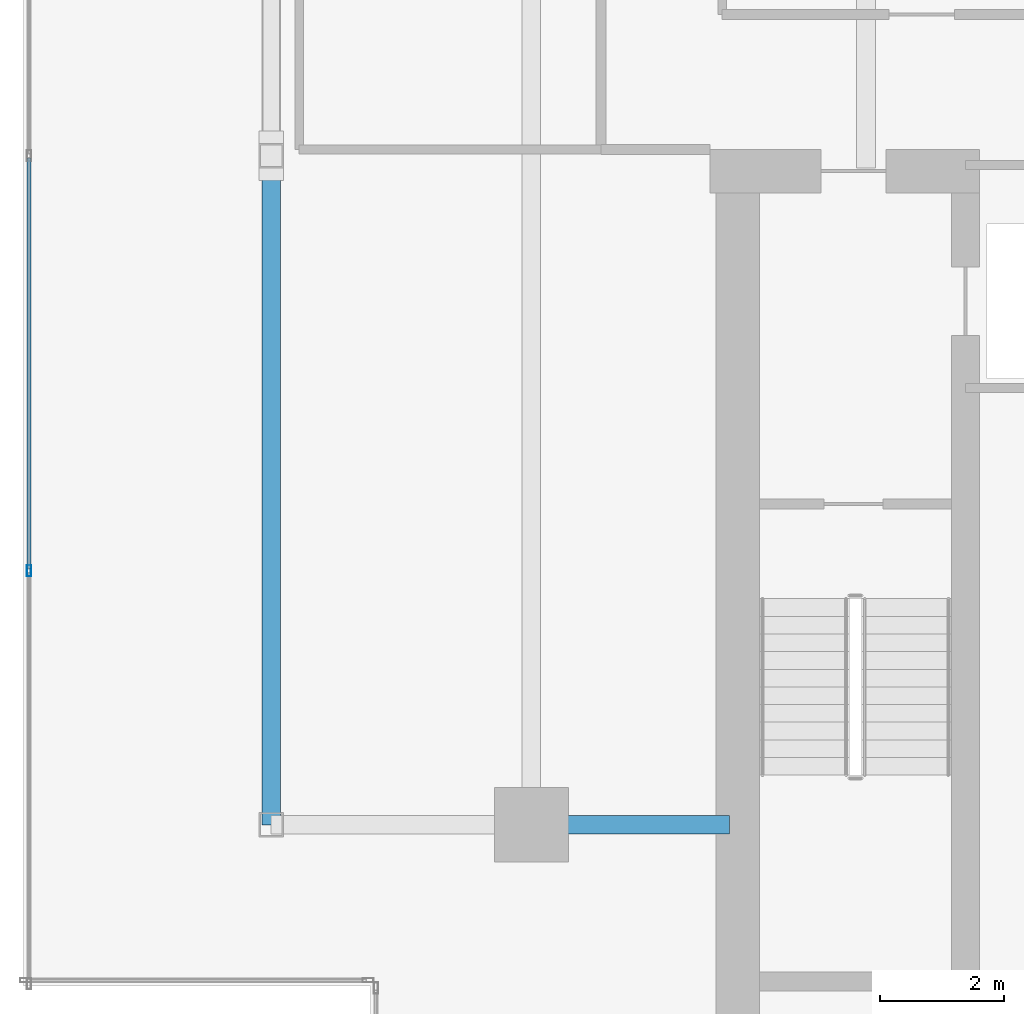
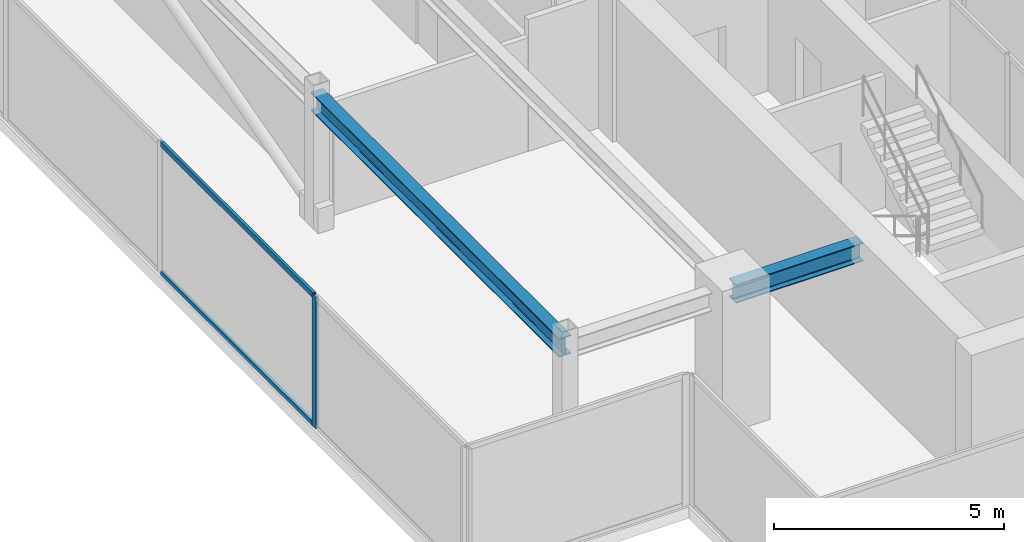
# One storey, part 4 of 25: 3 members, 2 beams, 1 element without a shape of its own.
"""IFC4 building model written with IfcOpenShell, lengths in metres."""

from ifc_helpers import new_model, si_unit, direction, frame, origin, origin_2d, place, context, subcontext, project, spatial, hollow_rectangle, i_section, extrude, source, transform, mapped, material, material_profile, profile_set, type_object, type_shapes, element, aggregate, save


model = new_model("IFC4")

# Units and contexts
model_context = context("Model", 3, precision=1e-05, world=origin(), true_north=direction((0.0, 1.0)))
body_context = subcontext(model_context, "Body", "Model", "MODEL_VIEW")
ifc_project = project(units=[si_unit("LENGTHUNIT", "METRE"), si_unit("AREAUNIT", "SQUARE_METRE"), si_unit("VOLUMEUNIT", "CUBIC_METRE"), si_unit("PLANEANGLEUNIT", "RADIAN"), si_unit("MASSUNIT", "GRAM", prefix="KILO")], contexts=[model_context])

# Site, building, storey
site_placement = place(None, origin())
site = spatial("IfcSite", under=ifc_project, at=site_placement, CompositionType="ELEMENT")
building_placement = place(site_placement, origin())
building = spatial("IfcBuilding", under=site, at=building_placement, Name="Krantzveldt Concourse Tower", CompositionType="ELEMENT")
storey_placement = place(building_placement, frame((0.0, 0.0, 370.85009765625)))
storey = spatial("IfcBuildingStorey", under=building, at=storey_placement, Name="L91", CompositionType="ELEMENT", Elevation=370.85009765625)

# Beams
ifc_material_1 = material(Name="Steel S355JR", Category="steel")
ifc_material_profile_1 = material_profile(ifc_material_1, i_section(OverallWidth=0.300048828125, OverallDepth=0.489990234375, WebThickness=0.011962890625, FlangeThickness=0.02294921875, FilletRadius=0.027099609375, at=origin_2d()), Name="Steel S355JR", Category="steel")
ifc_profile_set_1 = profile_set([ifc_material_profile_1], Name="Steel S355JR - HEA 500")
beam_type = type_object("IfcBeamType", Name="BM-B-HEA500", PredefinedType="BEAM", material=ifc_profile_set_1)
shared_shape_1 = source(origin(), body_context, "Body", "SweptSolid", [
    extrude(i_section(OverallWidth=0.300048828125, OverallDepth=0.489990234375, WebThickness=0.011962890625, FlangeThickness=0.02294921875, FilletRadius=0.027099609375, at=origin_2d()), origin(), (0.0, 0.0, 1.0), 10.800048828125),
])
beam_1_placement = place(storey_placement, frame((21.0, 15.89990234375, 3.2548828125), z_axis=(0.0, 1.0, 0.0), x_axis=(-1.0, 0.0, 0.0)))
element("IfcBeam", 1, at=beam_1_placement, inside=storey, type_object=beam_type, Name="L91 Crown Girder WEST-1", PredefinedType="BEAM", context=body_context, shape_type="MappedRepresentation", body=[
    mapped(shared_shape_1, transform((0.0, 0.0, 0.0), x_axis=(1.0, 0.0, 0.0), y_axis=(0.0, 1.0, 0.0), z_axis=(0.0, 0.0, 1.0), scale=1.0)),
])
shared_shape_2 = source(origin(), body_context, "Body", "SweptSolid", [
    extrude(i_section(OverallWidth=0.300048828125, OverallDepth=0.489990234375, WebThickness=0.011962890625, FlangeThickness=0.02294921875, FilletRadius=0.027099609375, at=origin_2d()), origin(), (0.0, 0.0, 1.0), 3.199951171875),
])
type_shapes(beam_type, [shared_shape_1, shared_shape_2])
beam_2_placement = place(storey_placement, frame((25.199951171875, 15.89990234375, 3.2548828125), z_axis=(1.0, 0.0, 0.0), x_axis=(0.0, 1.0, 0.0)))
element("IfcBeam", 2, at=beam_2_placement, inside=storey, type_object=beam_type, Name="L91 Crown Girder WEST-7", PredefinedType="BEAM", context=body_context, shape_type="MappedRepresentation", body=[
    mapped(shared_shape_2, transform((0.0, 0.0, 0.0), x_axis=(1.0, 0.0, 0.0), y_axis=(0.0, 1.0, 0.0), z_axis=(0.0, 0.0, 1.0), scale=1.0)),
])

# Curtain wall, members
ifc_material_2 = material(Name="Anodised aluminium 6063-T6", Category="aluminium")
curtain_wall_type = type_object("IfcCurtainWallType", Name="CW7", PredefinedType="USERDEFINED", material=ifc_material_2)
curtain_wall_placement = place(storey_placement, origin())
curtain_wall = element("IfcCurtainWall", 3, at=curtain_wall_placement, inside=storey, type_object=curtain_wall_type, Name="CW-L91-WEST-05", ObjectType="UNITISED CURTAIN WALL", PredefinedType="USERDEFINED")
ifc_material_profile_2 = material_profile(ifc_material_2, hollow_rectangle(XDim=0.070068359375, YDim=0.139892578125, WallThickness=0.0048828125, at=origin_2d()), Name="Anodised aluminium 6063-T6", Category="aluminium")
ifc_profile_set_2 = profile_set([ifc_material_profile_2], Name="Anodised aluminium 6063-T6 - ALU-TRAN 140x70x5")
member_type_1 = type_object("IfcMemberType", Name="CW-TRN-150", PredefinedType="USERDEFINED", material=ifc_profile_set_2)
shared_shape_3 = source(origin(), body_context, "Body", "SweptSolid", [
    extrude(hollow_rectangle(XDim=0.070068359375, YDim=0.139892578125, WallThickness=0.0048828125, at=origin_2d()), origin(), (0.0, 0.0, 1.0), 6.630126953125),
])
type_shapes(member_type_1, [shared_shape_3])
member_1_placement = place(storey_placement, frame((17.090087890625, 26.6650390625, 0.034912109375), z_axis=(0.0, -1.0, 0.0), x_axis=(1.0, 0.0, 0.0)))
member_1 = element("IfcMember", 4, at=member_1_placement, type_object=member_type_1, Name="CW-CRN transom 3.1", ObjectType="TRANSOM", PredefinedType="USERDEFINED", context=body_context, shape_type="MappedRepresentation", body=[
    mapped(shared_shape_3, transform((0.0, 0.0, 0.0), x_axis=(1.0, 0.0, 0.0), y_axis=(0.0, 1.0, 0.0), z_axis=(0.0, 0.0, 1.0), scale=1.0)),
])
member_2_placement = place(storey_placement, frame((17.090087890625, 26.6650390625, 3.46484375), z_axis=(0.0, -1.0, 0.0), x_axis=(1.0, 0.0, 0.0)))
member_2 = element("IfcMember", 5, at=member_2_placement, type_object=member_type_1, Name="CW-CRN transom 3.2", ObjectType="TRANSOM", PredefinedType="USERDEFINED", context=body_context, shape_type="MappedRepresentation", body=[
    mapped(shared_shape_3, transform((0.0, 0.0, 0.0), x_axis=(1.0, 0.0, 0.0), y_axis=(0.0, 1.0, 0.0), z_axis=(0.0, 0.0, 1.0), scale=1.0)),
])
ifc_material_profile_3 = material_profile(ifc_material_2, hollow_rectangle(XDim=0.070068359375, YDim=0.179931640625, WallThickness=0.0048828125, at=origin_2d()), Name="Anodised aluminium 6063-T6", Category="aluminium")
ifc_profile_set_3 = profile_set([ifc_material_profile_3], Name="Anodised aluminium 6063-T6 - ALU-MULL 180x70x5")
member_type_2 = type_object("IfcMemberType", Name="CW-MUL-180", PredefinedType="MULLION", material=ifc_profile_set_3)
shared_shape_4 = source(origin(), body_context, "Body", "SweptSolid", [
    extrude(hollow_rectangle(XDim=0.070068359375, YDim=0.179931640625, WallThickness=0.0048828125, at=origin_2d()), origin(), (0.0, 0.0, 1.0), 3.5),
])
type_shapes(member_type_2, [shared_shape_4])
member_3_placement = place(storey_placement, frame((17.090087890625, 20.0, 0.0), z_axis=(0.0, 0.0, 1.0), x_axis=(1.0, 0.0, 0.0)))
member_3 = element("IfcMember", 6, at=member_3_placement, type_object=member_type_2, Name="CW-CRN mullion 4", PredefinedType="MULLION", context=body_context, shape_type="MappedRepresentation", body=[
    mapped(shared_shape_4, transform((0.0, 0.0, 0.0), x_axis=(1.0, 0.0, 0.0), y_axis=(0.0, 1.0, 0.0), z_axis=(0.0, 0.0, 1.0), scale=1.0)),
])
aggregate(curtain_wall, [member_3, member_1, member_2])

save(model, "model.ifc")
